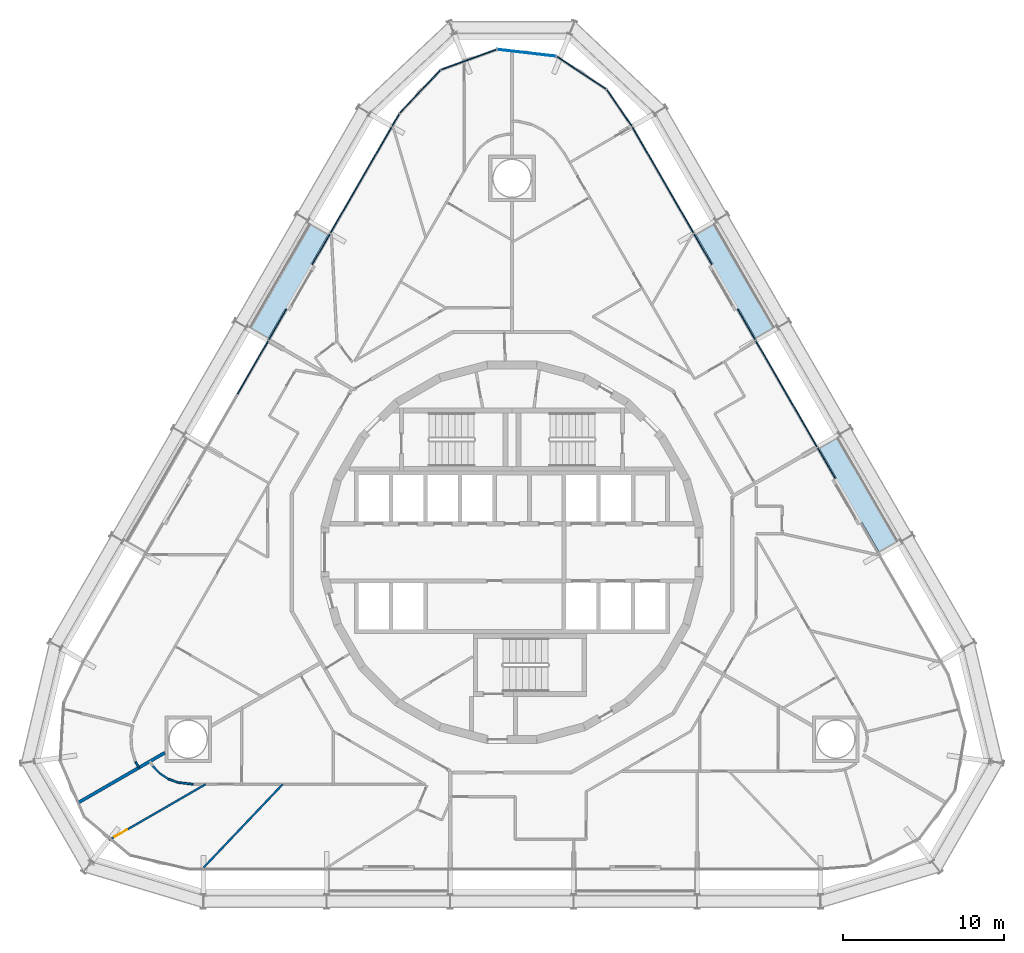
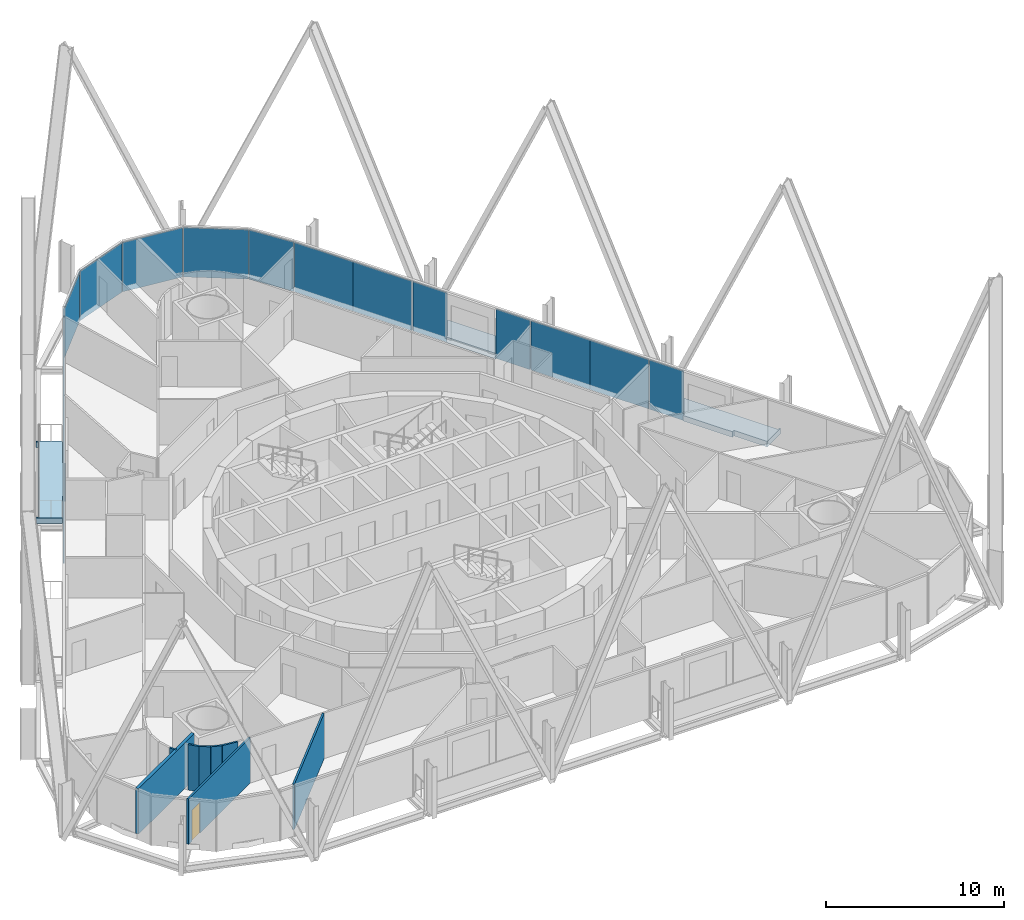
# One storey, part 14 of 22: 18 plates, 8 walls, 3 slabs, 1 door, 1 opening, 3 elements without a shape of their own.
"""IFC4 building model written with IfcOpenShell, lengths in metres."""

from ifc_helpers import new_model, si_unit, direction, frame, frame_2d, origin, origin_2d, place, context, subcontext, project, spatial, polyline, rectangle, outline, extrude, material, layer, layer_set, type_object, element, fill, aggregate, save


model = new_model("IFC4")

# Units and contexts
model_context = context("Model", 3, precision=1e-05, world=origin(), true_north=direction((0.0, 1.0)))
body_context = subcontext(model_context, "Body", "Model", "MODEL_VIEW")
ifc_project = project(units=[si_unit("LENGTHUNIT", "METRE"), si_unit("AREAUNIT", "SQUARE_METRE"), si_unit("VOLUMEUNIT", "CUBIC_METRE"), si_unit("PLANEANGLEUNIT", "RADIAN"), si_unit("MASSUNIT", "GRAM", prefix="KILO")], contexts=[model_context])

# Site, building, storey
site_placement = place(None, origin())
site = spatial("IfcSite", under=ifc_project, at=site_placement, CompositionType="ELEMENT")
building_placement = place(site_placement, origin())
building = spatial("IfcBuilding", under=site, at=building_placement, Name="Spindle Arch Residences", CompositionType="ELEMENT")
storey_placement = place(building_placement, frame((0.0, 0.0, 52.39990234375)))
storey = spatial("IfcBuildingStorey", under=building, at=storey_placement, Name="L11", CompositionType="ELEMENT", Elevation=52.39990234375)

# Slabs
ifc_material_1 = material(Name="Concrete C40/50", Category="concrete")
ifc_layer_1 = layer(ifc_material_1, 0.3798828125)
ifc_layer_set_1 = layer_set([ifc_layer_1], Name="Balcony slab 380")
slab_type = type_object("IfcSlabType", Name="Balcony slab 380", PredefinedType="FLOOR", material=ifc_layer_set_1)
slab_1_placement = place(storey_placement, frame((0.0, 0.0, -0.3798828125)))
element("IfcSlab", 1, at=slab_1_placement, inside=storey, type_object=slab_type, Name="Balcony L11 bay 7", PredefinedType="FLOOR", context=body_context, shape_type="SweptSolid", body=[
    extrude(outline(polyline([(24.151611328125, 0.728271484375), (24.114013671875, 0.793212890625), (23.984130859375, 0.71826171875), (20.2939453125, 7.109375), (20.424072265625, 7.1845703125), (20.386474609375, 7.24951171875), (19.09619140625, 6.50439453125), (20.1787109375, 4.62939453125), (20.0400390625, 4.549560546875), (21.64013671875, 1.778076171875), (21.778564453125, 1.858154296875), (22.861083984375, -0.016845703125), (24.151611328125, 0.728271484375)])), origin(), (0.0, 0.0, 1.0), 0.3798828125),
])
slab_2_placement = place(storey_placement, frame((0.0, 0.0, -0.3798828125)))
element("IfcSlab", 2, at=slab_2_placement, inside=storey, type_object=slab_type, Name="Balcony L11 bay 9", PredefinedType="FLOOR", context=body_context, shape_type="SweptSolid", body=[
    extrude(outline(polyline([(16.471435546875, 14.030517578125), (16.433837890625, 14.095458984375), (16.303955078125, 14.0205078125), (12.614013671875, 20.411865234375), (12.743896484375, 20.48681640625), (12.706298828125, 20.5517578125), (11.416015625, 19.806640625), (12.49853515625, 17.931640625), (12.35986328125, 17.851806640625), (13.9599609375, 15.08056640625), (14.0986328125, 15.160400390625), (15.18115234375, 13.285400390625), (16.471435546875, 14.030517578125)])), origin(), (0.0, 0.0, 1.0), 0.3798828125),
])
slab_3_placement = place(storey_placement, frame((0.0, 0.0, -0.3798828125)))
element("IfcSlab", 3, at=slab_3_placement, inside=storey, type_object=slab_type, Name="Balcony L11 bay 15", PredefinedType="FLOOR", context=body_context, shape_type="SweptSolid", body=[
    extrude(outline(polyline([(-12.706298828125, 20.5517578125), (-12.743896484375, 20.48681640625), (-12.614013671875, 20.411865234375), (-16.303955078125, 14.0205078125), (-16.433837890625, 14.095458984375), (-16.471435546875, 14.030517578125), (-15.18115234375, 13.285400390625), (-14.0986328125, 15.160400390625), (-13.9599609375, 15.08056640625), (-12.35986328125, 17.851806640625), (-12.49853515625, 17.931640625), (-11.416015625, 19.806640625), (-12.706298828125, 20.5517578125)])), origin(), (0.0, 0.0, 1.0), 0.3798828125),
])

# Curtain wall, plates
ifc_material_2 = material(Name="Aluminium bronze unitised frame with tinted glass", Category="aluminium")
ifc_layer_2 = layer(ifc_material_2, 0.159912109375)
ifc_layer_set_2 = layer_set([ifc_layer_2], Name="CW-C typical residential unitised wall")
curtain_wall_type_1 = type_object("IfcCurtainWallType", Name="CW-C typical residential unitised wall", PredefinedType="NOTDEFINED", material=ifc_layer_set_2)
curtain_wall_1_placement = place(storey_placement, origin())
curtain_wall_1 = element("IfcCurtainWall", 4, at=curtain_wall_1_placement, inside=storey, type_object=curtain_wall_type_1, Name="CW-C L11 run 2", PredefinedType="NOTDEFINED")
ifc_material_3 = material(Name="Tinted double glazing over aluminium faced non-combustible spandrel zone (K0)", Category="aluminium")
ifc_layer_3 = layer(ifc_material_3, 0.06005859375)
ifc_layer_set_3 = layer_set([ifc_layer_3], Name="Unitised glass panel with E 60 spandrel zone")
plate_type = type_object("IfcPlateType", Name="Unitised glass panel with E 60 spandrel zone", PredefinedType="CURTAIN_PANEL", material=ifc_layer_set_3)
plate_1_placement = place(storey_placement, frame((19.556884765625, 5.54638671875, -0.3798828125), z_axis=(0.0, 0.0, 1.0), x_axis=(-0.5, 0.866025403784, 0.0)))
plate_1 = element("IfcPlate", 5, at=plate_1_placement, type_object=plate_type, Name="CW-C unit 06R", PredefinedType="CURTAIN_PANEL", context=body_context, shape_type="SweptSolid", body=[
    extrude(rectangle(XDim=2.2099609375, YDim=0.06005859375, at=origin_2d()), origin(), (0.0, 0.0, 1.0), 3.3798828125),
])
plate_2_placement = place(storey_placement, frame((18.021728515625, 8.205078125, -0.3798828125), z_axis=(0.0, 0.0, 1.0), x_axis=(-0.5, 0.866025403784, 0.0)))
plate_2 = element("IfcPlate", 6, at=plate_2_placement, type_object=plate_type, Name="CW-C unit 07A", PredefinedType="CURTAIN_PANEL", context=body_context, shape_type="SweptSolid", body=[
    extrude(rectangle(XDim=3.81005859375, YDim=0.06005859375, at=origin_2d()), origin(), (0.0, 0.0, 1.0), 3.3798828125),
])
plate_3_placement = place(storey_placement, frame((16.11669921875, 11.504638671875, -0.3798828125), z_axis=(0.0, 0.0, 1.0), x_axis=(-0.5, 0.866025403784, 0.0)))
plate_3 = element("IfcPlate", 7, at=plate_3_placement, type_object=plate_type, Name="CW-C unit 07B", PredefinedType="CURTAIN_PANEL", context=body_context, shape_type="SweptSolid", body=[
    extrude(rectangle(XDim=3.81005859375, YDim=0.06005859375, at=origin_2d()), origin(), (0.0, 0.0, 1.0), 3.3798828125),
])
plate_4_placement = place(storey_placement, frame((14.581787109375, 14.16357421875, -0.3798828125), z_axis=(0.0, 0.0, 1.0), x_axis=(-0.5, 0.866025403784, 0.0)))
plate_4 = element("IfcPlate", 8, at=plate_4_placement, type_object=plate_type, Name="CW-C unit 08L", PredefinedType="CURTAIN_PANEL", context=body_context, shape_type="SweptSolid", body=[
    extrude(rectangle(XDim=2.2099609375, YDim=0.06005859375, at=origin_2d()), origin(), (0.0, 0.0, 1.0), 3.3798828125),
])
plate_5_placement = place(storey_placement, frame((11.876708984375, 18.8486328125, -0.3798828125), z_axis=(0.0, 0.0, 1.0), x_axis=(-0.5, 0.866025403784, 0.0)))
plate_5 = element("IfcPlate", 9, at=plate_5_placement, type_object=plate_type, Name="CW-C unit 08R", PredefinedType="CURTAIN_PANEL", context=body_context, shape_type="SweptSolid", body=[
    extrude(rectangle(XDim=2.2099609375, YDim=0.06005859375, at=origin_2d()), origin(), (0.0, 0.0, 1.0), 3.3798828125),
])
plate_6_placement = place(storey_placement, frame((10.341796875, 21.50732421875, -0.3798828125), z_axis=(0.0, 0.0, 1.0), x_axis=(-0.5, 0.866025403784, 0.0)))
plate_6 = element("IfcPlate", 10, at=plate_6_placement, type_object=plate_type, Name="CW-C unit 09A", PredefinedType="CURTAIN_PANEL", context=body_context, shape_type="SweptSolid", body=[
    extrude(rectangle(XDim=3.81005859375, YDim=0.06005859375, at=origin_2d()), origin(), (0.0, 0.0, 1.0), 3.3798828125),
])
plate_7_placement = place(storey_placement, frame((8.436767578125, 24.80712890625, -0.3798828125), z_axis=(0.0, 0.0, 1.0), x_axis=(-0.5, 0.866025403784, 0.0)))
plate_7 = element("IfcPlate", 11, at=plate_7_placement, type_object=plate_type, Name="CW-C unit 09B", PredefinedType="CURTAIN_PANEL", context=body_context, shape_type="SweptSolid", body=[
    extrude(rectangle(XDim=3.81005859375, YDim=0.06005859375, at=origin_2d()), origin(), (0.0, 0.0, 1.0), 3.3798828125),
])
aggregate(curtain_wall_1, [plate_1, plate_2, plate_3, plate_4, plate_5, plate_6, plate_7])

ifc_material_4 = material(Name="Aluminium bronze unitised frame with tinted glass", Category="aluminium")
ifc_layer_4 = layer(ifc_material_4, 0.159912109375)
ifc_layer_set_4 = layer_set([ifc_layer_4], Name="CW-D corner wall on the fillet arcs")
curtain_wall_type_2 = type_object("IfcCurtainWallType", Name="CW-D corner wall on the fillet arcs", PredefinedType="NOTDEFINED", material=ifc_layer_set_4)
curtain_wall_2_placement = place(storey_placement, origin())
curtain_wall_2 = element("IfcCurtainWall", 12, at=curtain_wall_2_placement, inside=storey, type_object=curtain_wall_type_2, Name="CW-D L11 run 3", PredefinedType="NOTDEFINED")
plate_8_placement = place(storey_placement, frame((6.673095703125, 27.643798828125, -0.3798828125), z_axis=(0.0, 0.0, 1.0), x_axis=(-0.565500718711, 0.824747802142, 0.0)))
plate_8 = element("IfcPlate", 13, at=plate_8_placement, type_object=plate_type, Name="CW-D unit 00", PredefinedType="CURTAIN_PANEL", context=body_context, shape_type="SweptSolid", body=[
    extrude(rectangle(XDim=2.755126953125, YDim=0.06005859375, at=origin_2d()), origin(), (0.0, 0.0, 1.0), 3.3798828125),
])
plate_9_placement = place(storey_placement, frame((4.3203125, 29.82861328125, -0.3798828125), z_axis=(0.0, 0.0, 1.0), x_axis=(-0.835487811704, 0.549508977628, 0.0)))
plate_9 = element("IfcPlate", 14, at=plate_9_placement, type_object=plate_type, Name="CW-D unit 01", PredefinedType="CURTAIN_PANEL", context=body_context, shape_type="SweptSolid", body=[
    extrude(rectangle(XDim=3.666748046875, YDim=0.06005859375, at=origin_2d()), origin(), (0.0, 0.0, 1.0), 3.3798828125),
])
plate_10_placement = place(storey_placement, frame((0.912841796875, 31.06884765625, -0.3798828125), z_axis=(0.0, 0.0, 1.0), x_axis=(-0.993238357591, 0.116092915414, 0.0)))
plate_10 = element("IfcPlate", 15, at=plate_10_placement, type_object=plate_type, Name="CW-D unit 02", PredefinedType="CURTAIN_PANEL", context=body_context, shape_type="SweptSolid", body=[
    extrude(rectangle(XDim=3.666748046875, YDim=0.06005859375, at=origin_2d()), origin(), (0.0, 0.0, 1.0), 3.3798828125),
])
plate_11_placement = place(storey_placement, frame((-2.68896484375, 30.64794921875, -0.3798828125), z_axis=(0.0, 0.0, 1.0), x_axis=(-0.939692621437, -0.342020141538, 0.0)))
plate_11 = element("IfcPlate", 16, at=plate_11_placement, type_object=plate_type, Name="CW-D unit 03", PredefinedType="CURTAIN_PANEL", context=body_context, shape_type="SweptSolid", body=[
    extrude(rectangle(XDim=3.666748046875, YDim=0.06005859375, at=origin_2d()), origin(), (0.0, 0.0, 1.0), 3.3798828125),
])
plate_12_placement = place(storey_placement, frame((-5.71875, 28.6552734375, -0.3798828125), z_axis=(0.0, 0.0, 1.0), x_axis=(-0.686241639236, -0.727373640284, 0.0)))
plate_12 = element("IfcPlate", 17, at=plate_12_placement, type_object=plate_type, Name="CW-D unit 04", PredefinedType="CURTAIN_PANEL", context=body_context, shape_type="SweptSolid", body=[
    extrude(rectangle(XDim=3.666748046875, YDim=0.06005859375, at=origin_2d()), origin(), (0.0, 0.0, 1.0), 3.3798828125),
])
plate_13_placement = place(storey_placement, frame((-7.2333984375, 26.891357421875, -0.3798828125), z_axis=(0.0, 0.0, 1.0), x_axis=(-0.5, -0.866025403784, 0.0)))
plate_13 = element("IfcPlate", 18, at=plate_13_placement, type_object=plate_type, Name="CW-D unit 05", PredefinedType="CURTAIN_PANEL", context=body_context, shape_type="SweptSolid", body=[
    extrude(rectangle(XDim=0.88330078125, YDim=0.06005859375, at=origin_2d()), origin(), (0.0, 0.0, 1.0), 3.3798828125),
])
aggregate(curtain_wall_2, [plate_8, plate_9, plate_10, plate_11, plate_12, plate_13])

curtain_wall_3_placement = place(storey_placement, origin())
curtain_wall_3 = element("IfcCurtainWall", 19, at=curtain_wall_3_placement, inside=storey, type_object=curtain_wall_type_1, Name="CW-C L11 run 4", PredefinedType="NOTDEFINED")
plate_14_placement = place(storey_placement, frame((-8.436767578125, 24.80712890625, -0.3798828125), z_axis=(0.0, 0.0, 1.0), x_axis=(-0.5, -0.866025403784, 0.0)))
plate_14 = element("IfcPlate", 20, at=plate_14_placement, type_object=plate_type, Name="CW-C unit 13A", PredefinedType="CURTAIN_PANEL", context=body_context, shape_type="SweptSolid", body=[
    extrude(rectangle(XDim=3.81005859375, YDim=0.06005859375, at=origin_2d()), origin(), (0.0, 0.0, 1.0), 3.3798828125),
])
plate_15_placement = place(storey_placement, frame((-10.341796875, 21.50732421875, -0.3798828125), z_axis=(0.0, 0.0, 1.0), x_axis=(-0.5, -0.866025403784, 0.0)))
plate_15 = element("IfcPlate", 21, at=plate_15_placement, type_object=plate_type, Name="CW-C unit 13B", PredefinedType="CURTAIN_PANEL", context=body_context, shape_type="SweptSolid", body=[
    extrude(rectangle(XDim=3.81005859375, YDim=0.06005859375, at=origin_2d()), origin(), (0.0, 0.0, 1.0), 3.3798828125),
])
plate_16_placement = place(storey_placement, frame((-11.876708984375, 18.8486328125, -0.3798828125), z_axis=(0.0, 0.0, 1.0), x_axis=(-0.5, -0.866025403784, 0.0)))
plate_16 = element("IfcPlate", 22, at=plate_16_placement, type_object=plate_type, Name="CW-C unit 14L", PredefinedType="CURTAIN_PANEL", context=body_context, shape_type="SweptSolid", body=[
    extrude(rectangle(XDim=2.2099609375, YDim=0.06005859375, at=origin_2d()), origin(), (0.0, 0.0, 1.0), 3.3798828125),
])
plate_17_placement = place(storey_placement, frame((-14.581787109375, 14.16357421875, -0.3798828125), z_axis=(0.0, 0.0, 1.0), x_axis=(-0.5, -0.866025403784, 0.0)))
plate_17 = element("IfcPlate", 23, at=plate_17_placement, type_object=plate_type, Name="CW-C unit 14R", PredefinedType="CURTAIN_PANEL", context=body_context, shape_type="SweptSolid", body=[
    extrude(rectangle(XDim=2.2099609375, YDim=0.06005859375, at=origin_2d()), origin(), (0.0, 0.0, 1.0), 3.3798828125),
])
plate_18_placement = place(storey_placement, frame((-16.11669921875, 11.504638671875, -0.3798828125), z_axis=(0.0, 0.0, 1.0), x_axis=(-0.5, -0.866025403784, 0.0)))
plate_18 = element("IfcPlate", 24, at=plate_18_placement, type_object=plate_type, Name="CW-C unit 15A", PredefinedType="CURTAIN_PANEL", context=body_context, shape_type="SweptSolid", body=[
    extrude(rectangle(XDim=3.81005859375, YDim=0.06005859375, at=origin_2d()), origin(), (0.0, 0.0, 1.0), 3.3798828125),
])
aggregate(curtain_wall_3, [plate_14, plate_15, plate_16, plate_17, plate_18])

# Walls
ifc_material_5 = material(Name="Plasterboard on steel studs", Category="steel")
ifc_layer_5 = layer(ifc_material_5, 0.1201171875)
ifc_layer_set_5 = layer_set([ifc_layer_5], Name="Flat partition 120")
wall_type_1 = type_object("IfcWallType", Name="Flat partition 120", PredefinedType="PARTITIONING", material=ifc_layer_set_5)
wall_1_placement = place(storey_placement, frame((-23.421630859375, -13.0439453125, 0.0), z_axis=(0.0, 0.0, 1.0), x_axis=(0.50013037474, -0.865950118807, 0.0)))
element("IfcWall", 25, at=wall_1_placement, inside=storey, type_object=wall_type_1, Name="Flat partition R1B0-W077", PredefinedType="PARTITIONING", context=body_context, shape_type="SweptSolid", body=[
    extrude(rectangle(XDim=0.41455078125, YDim=0.1201171875, at=frame_2d((0.207275390625, 0.0))), origin(), (0.0, 0.0, 1.0), 3.1201171875),
])
wall_2_placement = place(storey_placement, frame((-19.8408203125, -14.429931640625, 0.0), z_axis=(0.0, 0.0, 1.0), x_axis=(-0.993245320107, 0.116033331788, 0.0)))
element("IfcWall", 26, at=wall_2_placement, inside=storey, type_object=wall_type_1, Name="Flat partition R1B0-W084", PredefinedType="PARTITIONING", context=body_context, shape_type="SweptSolid", body=[
    extrude(rectangle(XDim=0.94677734375, YDim=0.1201171875, at=frame_2d((0.473388671875, 0.0))), origin(), (0.0, 0.0, 1.0), 3.1201171875),
])
for number, where, z_axis, x_axis, name in (
    (27, (-20.78125, -14.320068359375, 0.0), (0.0, 0.0, 1.0), (-0.939737891858, 0.341895736455, 0.0), "Flat partition R1B0-W085"),
    (28, (-21.384521484375, -14.1005859375, 0.0), (0.0, 0.0, 1.0), (-0.835371114389, 0.549686366253, 0.0), "Flat partition R1B0-W086"),
    (29, (-21.920654296875, -13.747802734375, 0.0), (0.0, 0.0, 1.0), (-0.686265997785, 0.727350658406, 0.0), "Flat partition R1B0-W087"),
):
    element("IfcWall", number, at=place(storey_placement, frame(where, z_axis=z_axis, x_axis=x_axis)), inside=storey, type_object=wall_type_1, Name=name, PredefinedType="PARTITIONING", context=body_context, shape_type="SweptSolid", body=[
        extrude(rectangle(XDim=0.641845703125, YDim=0.1201171875, at=frame_2d((0.32080078125, 0.0))), origin(), (0.0, 0.0, 1.0), 3.1201171875),
    ])

# Wall, opening, door
wall_3_placement = place(storey_placement, frame((-25.068359375, -17.9013671875, 0.0), z_axis=(0.0, 0.0, 1.0), x_axis=(0.866025136247, 0.500000463387, 0.0)))
wall_3 = element("IfcWall", 30, at=wall_3_placement, inside=storey, type_object=wall_type_1, Name="Flat partition R1B0-W089", PredefinedType="PARTITIONING", context=body_context, shape_type="SweptSolid", body=[
    extrude(rectangle(XDim=6.94287109375, YDim=0.1201171875, at=frame_2d((3.471435546875, 0.0))), origin(), (0.0, 0.0, 1.0), 3.1201171875),
])
opening_placement = place(wall_3_placement, frame((0.39990234375, 0.0, 0.0)))
opening = element("IfcOpeningElement", 31, at=opening_placement, cuts=wall_3, Name="Opening R1B0-ID23", PredefinedType="OPENING", context=body_context, shape_type="SweptSolid", body=[
    extrude(rectangle(XDim=0.89990234375, YDim=2.10009765625, at=frame_2d((0.449951171875, 1.050048828125))), frame((0.0, 0.070068359375, 0.0), z_axis=(0.0, -1.0, 0.0), x_axis=(1.0, 0.0, 0.0)), (0.0, 0.0, 1.0), 0.14013671875),
])
ifc_material_6 = material(Name="Timber door set", Category="wood")
door_type = type_object("IfcDoorType", Name="Room door 900x2100", OperationType="NOTDEFINED", PredefinedType="DOOR", material=ifc_material_6)
door_placement = place(opening_placement, origin())
door = element("IfcDoor", 32, at=door_placement, inside=storey, type_object=door_type, Name="Room door R1B0-ID23", OperationType="SINGLE_SWING_LEFT", OverallHeight=2.10009765625, OverallWidth=0.89990234375, PredefinedType="DOOR", context=body_context, shape_type="SweptSolid", body=[
    extrude(rectangle(XDim=0.89990234375, YDim=2.10009765625, at=frame_2d((0.449951171875, 1.050048828125))), frame((0.0, 0.02490234375, 0.0), z_axis=(0.0, -1.0, 0.0), x_axis=(1.0, 0.0, 0.0)), (0.0, 0.0, 1.0), 0.050048828125),
])
fill(opening, door)

# Walls
wall_4_placement = place(storey_placement, frame((-19.2001953125, -19.6298828125, 0.0), z_axis=(0.0, 0.0, 1.0), x_axis=(0.688551680792, 0.72518727435, 0.0)))
element("IfcWall", 33, at=wall_4_placement, inside=storey, type_object=wall_type_1, Name="Flat partition R1B0-W092", PredefinedType="PARTITIONING", context=body_context, shape_type="SweptSolid", body=[
    extrude(rectangle(XDim=7.17041015625, YDim=0.1201171875, at=frame_2d((3.585205078125, 0.0))), origin(), (0.0, 0.0, 1.0), 3.1201171875),
])
ifc_material_7 = material(Name="Calcium silicate block, plastered")
ifc_layer_6 = layer(ifc_material_7, 0.199951171875)
ifc_layer_set_6 = layer_set([ifc_layer_6], Name="Flat party wall 200")
wall_type_2 = type_object("IfcWallType", Name="Flat party wall 200", PredefinedType="STANDARD", material=ifc_layer_set_6)
wall_5_placement = place(storey_placement, frame((-27.02490234375, -15.602783203125, 0.0), z_axis=(0.0, 0.0, 1.0), x_axis=(0.866030653443, 0.499990907215, 0.0)))
element("IfcWall", 34, at=wall_5_placement, inside=storey, type_object=wall_type_2, Name="Flat party wall R1B0-W023", PredefinedType="STANDARD", context=body_context, shape_type="SweptSolid", body=[
    extrude(rectangle(XDim=6.271484375, YDim=0.199951171875, at=frame_2d((3.1357421875, 0.0))), origin(), (0.0, 0.0, 1.0), 3.1201171875),
])

save(model, "model.ifc")
